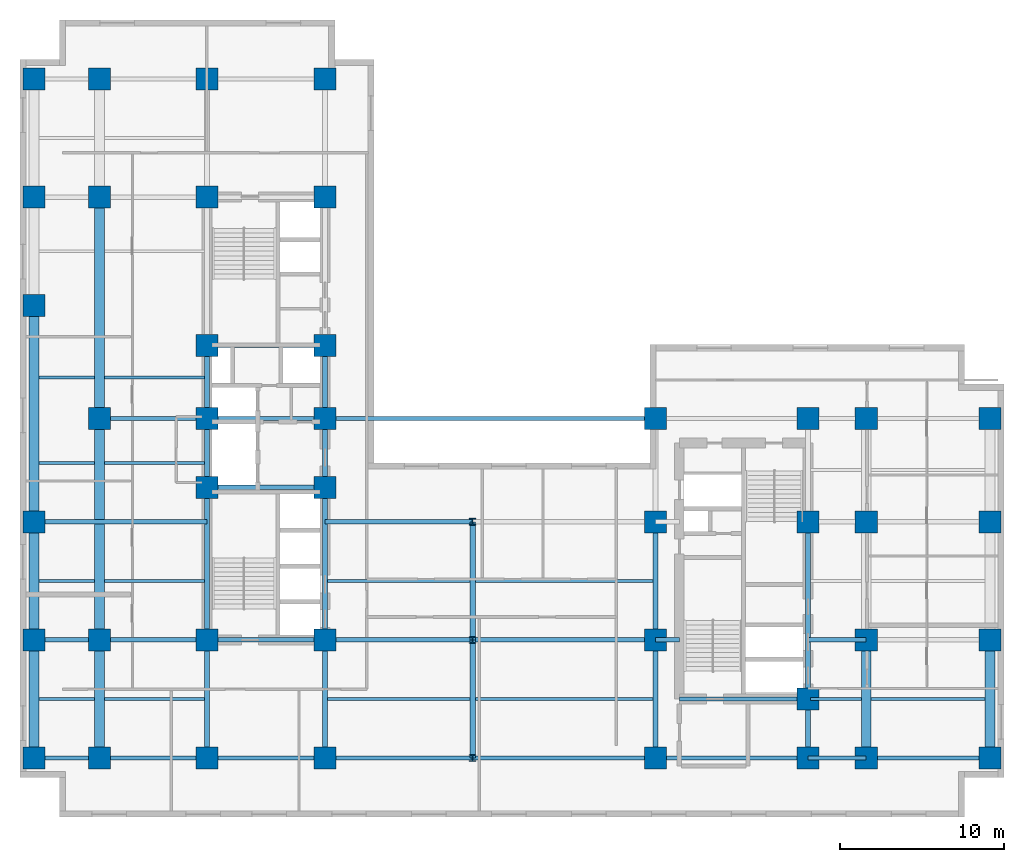
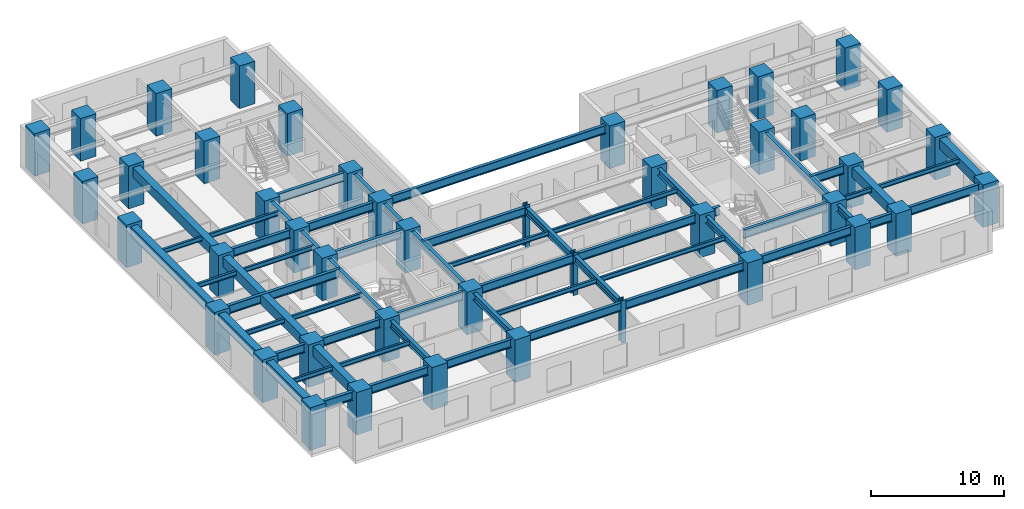
# One storey, part 1 of 10: 59 beams, 44 columns.
"""IFC4 building model written with IfcOpenShell, lengths in metres."""

from ifc_helpers import new_model, entity, si_unit, converted_unit, direction, frame, origin_with_axes, origin_2d_with_axis, place, context, subcontext, project, spatial, rectangle, i_section, extrude, material, material_profile, profile_set, type_object, element, save


model = new_model("IFC4")

# Units and contexts
model_context = context("Model", 3, precision=1e-05, world=origin_with_axes(), true_north=direction((0.0, 1.0)))
body_context = subcontext(model_context, "Body", "Model", "MODEL_VIEW")
ifc_project = project(units=[si_unit("LENGTHUNIT", "METRE"), si_unit("AREAUNIT", "SQUARE_METRE"), si_unit("VOLUMEUNIT", "CUBIC_METRE"), converted_unit("PLANEANGLEUNIT", "DEGREE", entity("IfcPlaneAngleMeasure", 0.017453292519943295), si_unit("PLANEANGLEUNIT", "RADIAN"), dimensions=[0, 0, 0, 0, 0, 0, 0]), si_unit("MASSUNIT", "GRAM", prefix="KILO"), si_unit("THERMODYNAMICTEMPERATUREUNIT", "KELVIN")], contexts=[model_context])

# Site, building, storey
site_placement = place(None, origin_with_axes())
site = spatial("IfcSite", under=ifc_project, at=site_placement, CompositionType="ELEMENT")
building_placement = place(site_placement, origin_with_axes())
building = spatial("IfcBuilding", under=site, at=building_placement, Name="Varnlund Millrace Tower", CompositionType="ELEMENT")
storey_placement = place(building_placement, frame((0.0, 0.0, 44.4), z_axis=(0.0, 0.0, 1.0), x_axis=(1.0, 0.0, 0.0)))
storey = spatial("IfcBuildingStorey", under=building, at=storey_placement, Name="L10", CompositionType="ELEMENT", Elevation=44.4)

# Columns
ifc_material_1 = material(Name="Steel ASTM A913 Grade 65", Category="steel")
ifc_material_profile_1 = material_profile(ifc_material_1, i_section(OverallWidth=0.406, OverallDepth=0.416, WebThickness=0.0298, FlangeThickness=0.048, FilletRadius=0.022, at=origin_2d_with_axis()), Name="Steel ASTM A913 Grade 65")
ifc_profile_set_1 = profile_set([ifc_material_profile_1], Name="Steel ASTM A913 Grade 65")
column_type_1 = type_object("IfcColumnType", Name="Type-Col-Int-W14X257", PredefinedType="COLUMN", material=ifc_profile_set_1)
for number, where, z_axis, x_axis, name in (
    (1, (27.6, 3.6, 0.0), (0.0, 0.0, 1.0), (1.0, 0.0, 0.0), "Type-Col-Int-W14X257"),
    (2, (27.6, 10.8, 0.0), (0.0, 0.0, 1.0), (1.0, 0.0, 0.0), "Type-Col-Int-W14X257"),
    (3, (27.6, 18.0, 0.0), (0.0, 0.0, 1.0), (1.0, 0.0, 0.0), "Type-Col-Int-W14X257"),
):
    element("IfcColumn", number, at=place(storey_placement, frame(where, z_axis=z_axis, x_axis=x_axis)), inside=storey, type_object=column_type_1, Name=name, PredefinedType="COLUMN", context=body_context, shape_type="SweptSolid", body=[
        extrude(i_section(OverallWidth=0.406, OverallDepth=0.416, WebThickness=0.0298, FlangeThickness=0.048, FilletRadius=0.022, at=origin_2d_with_axis()), origin_with_axes(), (0.0, 0.0, 1.0), 3.9),
    ])
ifc_material_2 = material(Name="Concrete C80/95", Category="concrete")
ifc_material_profile_2 = material_profile(ifc_material_2, rectangle(XDim=1.35, YDim=1.35, at=origin_2d_with_axis()), Name="Concrete C80/95")
ifc_profile_set_2 = profile_set([ifc_material_profile_2], Name="Concrete C80/95")
column_type_2 = type_object("IfcColumnType", Name="Type-Col-RC1350-C80", PredefinedType="COLUMN", material=ifc_profile_set_2)
for number, where, z_axis, x_axis, name in (
    (4, (11.4, 3.6, 0.0), (0.0, 0.0, 1.0), (1.0, 0.0, 0.0), "Type-Col-RC1350-C80"),
    (5, (11.4, 10.8, 0.0), (0.0, 0.0, 1.0), (1.0, 0.0, 0.0), "Type-Col-RC1350-C80"),
    (6, (11.4, 20.1, 0.0), (0.0, 0.0, 1.0), (1.0, 0.0, 0.0), "Type-Col-RC1350-C80"),
    (7, (11.4, 24.3, 0.0), (0.0, 0.0, 1.0), (1.0, 0.0, 0.0), "Type-Col-RC1350-C80"),
    (8, (11.4, 28.75, 0.0), (0.0, 0.0, 1.0), (1.0, 0.0, 0.0), "Type-Col-RC1350-C80"),
    (9, (11.4, 37.8, 0.0), (0.0, 0.0, 1.0), (1.0, 0.0, 0.0), "Type-Col-RC1350-C80"),
    (10, (11.4, 45.0, 0.0), (0.0, 0.0, 1.0), (1.0, 0.0, 0.0), "Type-Col-RC1350-C80"),
    (11, (18.6, 3.6, 0.0), (0.0, 0.0, 1.0), (1.0, 0.0, 0.0), "Type-Col-RC1350-C80"),
    (12, (18.6, 10.8, 0.0), (0.0, 0.0, 1.0), (1.0, 0.0, 0.0), "Type-Col-RC1350-C80"),
    (13, (18.6, 20.1, 0.0), (0.0, 0.0, 1.0), (1.0, 0.0, 0.0), "Type-Col-RC1350-C80"),
    (14, (18.6, 24.3, 0.0), (0.0, 0.0, 1.0), (1.0, 0.0, 0.0), "Type-Col-RC1350-C80"),
    (15, (18.6, 28.75, 0.0), (0.0, 0.0, 1.0), (1.0, 0.0, 0.0), "Type-Col-RC1350-C80"),
    (16, (18.6, 37.8, 0.0), (0.0, 0.0, 1.0), (1.0, 0.0, 0.0), "Type-Col-RC1350-C80"),
    (17, (18.6, 45.0, 0.0), (0.0, 0.0, 1.0), (1.0, 0.0, 0.0), "Type-Col-RC1350-C80"),
    (18, (4.85, 3.6, 0.0), (0.0, 0.0, 1.0), (1.0, 0.0, 0.0), "Type-Col-RC1350-C80"),
    (19, (4.85, 10.8, 0.0), (0.0, 0.0, 1.0), (1.0, 0.0, 0.0), "Type-Col-RC1350-C80"),
    (20, (4.85, 24.3, 0.0), (0.0, 0.0, 1.0), (1.0, 0.0, 0.0), "Type-Col-RC1350-C80"),
    (21, (4.85, 37.8, 0.0), (0.0, 0.0, 1.0), (1.0, 0.0, 0.0), "Type-Col-RC1350-C80"),
    (22, (4.85, 45.0, 0.0), (0.0, 0.0, 1.0), (1.0, 0.0, 0.0), "Type-Col-RC1350-C80"),
    (23, (0.85, 3.6, 0.0), (0.0, 0.0, 1.0), (1.0, 0.0, 0.0), "Type-Col-RC1350-C80"),
    (24, (0.85, 10.8, 0.0), (0.0, 0.0, 1.0), (1.0, 0.0, 0.0), "Type-Col-RC1350-C80"),
    (25, (0.85, 18.0, 0.0), (0.0, 0.0, 1.0), (1.0, 0.0, 0.0), "Type-Col-RC1350-C80"),
    (26, (0.85, 31.2, 0.0), (0.0, 0.0, 1.0), (1.0, 0.0, 0.0), "Type-Col-RC1350-C80"),
    (27, (0.85, 37.8, 0.0), (0.0, 0.0, 1.0), (1.0, 0.0, 0.0), "Type-Col-RC1350-C80"),
    (28, (0.85, 45.0, 0.0), (0.0, 0.0, 1.0), (1.0, 0.0, 0.0), "Type-Col-RC1350-C80"),
    (29, (38.75, 3.6, 0.0), (0.0, 0.0, 1.0), (1.0, 0.0, 0.0), "Type-Col-RC1350-C80"),
    (30, (38.75, 10.8, 0.0), (0.0, 0.0, 1.0), (1.0, 0.0, 0.0), "Type-Col-RC1350-C80"),
    (31, (38.75, 18.0, 0.0), (0.0, 0.0, 1.0), (1.0, 0.0, 0.0), "Type-Col-RC1350-C80"),
    (32, (38.75, 24.3, 0.0), (0.0, 0.0, 1.0), (1.0, 0.0, 0.0), "Type-Col-RC1350-C80"),
    (33, (48.05, 3.6, 0.0), (0.0, 0.0, 1.0), (1.0, 0.0, 0.0), "Type-Col-RC1350-C80"),
    (34, (48.05, 7.2, 0.0), (0.0, 0.0, 1.0), (1.0, 0.0, 0.0), "Type-Col-RC1350-C80"),
    (35, (48.05, 18.0, 0.0), (0.0, 0.0, 1.0), (1.0, 0.0, 0.0), "Type-Col-RC1350-C80"),
    (36, (48.05, 24.3, 0.0), (0.0, 0.0, 1.0), (1.0, 0.0, 0.0), "Type-Col-RC1350-C80"),
    (37, (51.6, 3.6, 0.0), (0.0, 0.0, 1.0), (1.0, 0.0, 0.0), "Type-Col-RC1350-C80"),
    (38, (51.6, 10.8, 0.0), (0.0, 0.0, 1.0), (1.0, 0.0, 0.0), "Type-Col-RC1350-C80"),
    (39, (51.6, 18.0, 0.0), (0.0, 0.0, 1.0), (1.0, 0.0, 0.0), "Type-Col-RC1350-C80"),
    (40, (51.6, 24.3, 0.0), (0.0, 0.0, 1.0), (1.0, 0.0, 0.0), "Type-Col-RC1350-C80"),
    (41, (59.15, 3.6, 0.0), (0.0, 0.0, 1.0), (1.0, 0.0, 0.0), "Type-Col-RC1350-C80"),
    (42, (59.15, 10.8, 0.0), (0.0, 0.0, 1.0), (1.0, 0.0, 0.0), "Type-Col-RC1350-C80"),
    (43, (59.15, 18.0, 0.0), (0.0, 0.0, 1.0), (1.0, 0.0, 0.0), "Type-Col-RC1350-C80"),
    (44, (59.15, 24.3, 0.0), (0.0, 0.0, 1.0), (1.0, 0.0, 0.0), "Type-Col-RC1350-C80"),
):
    element("IfcColumn", number, at=place(storey_placement, frame(where, z_axis=z_axis, x_axis=x_axis)), inside=storey, type_object=column_type_2, Name=name, PredefinedType="COLUMN", context=body_context, shape_type="SweptSolid", body=[
        extrude(rectangle(XDim=1.35, YDim=1.35, at=origin_2d_with_axis()), origin_with_axes(), (0.0, 0.0, 1.0), 3.9),
    ])

# Beams
ifc_material_3 = material(Name="Steel ASTM A992 Grade 50", Category="steel")
ifc_material_profile_3 = material_profile(ifc_material_3, i_section(OverallWidth=0.328, OverallDepth=0.628, WebThickness=0.0165, FlangeThickness=0.0277, FilletRadius=0.018, at=origin_2d_with_axis()), Name="Steel ASTM A992 Grade 50")
ifc_profile_set_3 = profile_set([ifc_material_profile_3], Name="Steel ASTM A992 Grade 50")
beam_type_1 = type_object("IfcBeamType", Name="Type-Girder-W24X146", PredefinedType="USERDEFINED", material=ifc_profile_set_3)
beam_1_placement = place(storey_placement, frame((11.4, 3.6, 3.346), z_axis=(0.0, 1.0, 0.0), x_axis=(-1.0, 0.0, 0.0)))
element("IfcBeam", 45, at=beam_1_placement, inside=storey, type_object=beam_type_1, Name="Type-Girder-W24X146", ObjectType="GIRDER", PredefinedType="USERDEFINED", context=body_context, shape_type="SweptSolid", body=[
    extrude(i_section(OverallWidth=0.328, OverallDepth=0.628, WebThickness=0.0165, FlangeThickness=0.0277, FilletRadius=0.018, at=origin_2d_with_axis()), origin_with_axes(), (0.0, 0.0, 1.0), 7.2),
])
beam_2_placement = place(storey_placement, frame((11.4, 10.8, 3.346), z_axis=(0.0, 1.0, 0.0), x_axis=(-1.0, 0.0, 0.0)))
element("IfcBeam", 46, at=beam_2_placement, inside=storey, type_object=beam_type_1, Name="Type-Girder-W24X146", ObjectType="GIRDER", PredefinedType="USERDEFINED", context=body_context, shape_type="SweptSolid", body=[
    extrude(i_section(OverallWidth=0.328, OverallDepth=0.628, WebThickness=0.0165, FlangeThickness=0.0277, FilletRadius=0.018, at=origin_2d_with_axis()), origin_with_axes(), (0.0, 0.0, 1.0), 9.3),
])
beam_3_placement = place(storey_placement, frame((11.4, 20.1, 3.346), z_axis=(0.0, 1.0, 0.0), x_axis=(-1.0, 0.0, 0.0)))
element("IfcBeam", 47, at=beam_3_placement, inside=storey, type_object=beam_type_1, Name="Type-Girder-W24X146", ObjectType="GIRDER", PredefinedType="USERDEFINED", context=body_context, shape_type="SweptSolid", body=[
    extrude(i_section(OverallWidth=0.328, OverallDepth=0.628, WebThickness=0.0165, FlangeThickness=0.0277, FilletRadius=0.018, at=origin_2d_with_axis()), origin_with_axes(), (0.0, 0.0, 1.0), 4.2),
])
beam_4_placement = place(storey_placement, frame((11.4, 24.3, 3.346), z_axis=(0.0, 1.0, 0.0), x_axis=(-1.0, 0.0, 0.0)))
element("IfcBeam", 48, at=beam_4_placement, inside=storey, type_object=beam_type_1, Name="Type-Girder-W24X146", ObjectType="GIRDER", PredefinedType="USERDEFINED", context=body_context, shape_type="SweptSolid", body=[
    extrude(i_section(OverallWidth=0.328, OverallDepth=0.628, WebThickness=0.0165, FlangeThickness=0.0277, FilletRadius=0.018, at=origin_2d_with_axis()), origin_with_axes(), (0.0, 0.0, 1.0), 4.45),
])
beam_5_placement = place(storey_placement, frame((18.6, 3.6, 3.346), z_axis=(0.0, 1.0, 0.0), x_axis=(-1.0, 0.0, 0.0)))
element("IfcBeam", 49, at=beam_5_placement, inside=storey, type_object=beam_type_1, Name="Type-Girder-W24X146", ObjectType="GIRDER", PredefinedType="USERDEFINED", context=body_context, shape_type="SweptSolid", body=[
    extrude(i_section(OverallWidth=0.328, OverallDepth=0.628, WebThickness=0.0165, FlangeThickness=0.0277, FilletRadius=0.018, at=origin_2d_with_axis()), origin_with_axes(), (0.0, 0.0, 1.0), 7.2),
])
beam_6_placement = place(storey_placement, frame((18.6, 10.8, 3.346), z_axis=(0.0, 1.0, 0.0), x_axis=(-1.0, 0.0, 0.0)))
element("IfcBeam", 50, at=beam_6_placement, inside=storey, type_object=beam_type_1, Name="Type-Girder-W24X146", ObjectType="GIRDER", PredefinedType="USERDEFINED", context=body_context, shape_type="SweptSolid", body=[
    extrude(i_section(OverallWidth=0.328, OverallDepth=0.628, WebThickness=0.0165, FlangeThickness=0.0277, FilletRadius=0.018, at=origin_2d_with_axis()), origin_with_axes(), (0.0, 0.0, 1.0), 9.3),
])
beam_7_placement = place(storey_placement, frame((18.6, 20.1, 3.346), z_axis=(0.0, 1.0, 0.0), x_axis=(-1.0, 0.0, 0.0)))
element("IfcBeam", 51, at=beam_7_placement, inside=storey, type_object=beam_type_1, Name="Type-Girder-W24X146", ObjectType="GIRDER", PredefinedType="USERDEFINED", context=body_context, shape_type="SweptSolid", body=[
    extrude(i_section(OverallWidth=0.328, OverallDepth=0.628, WebThickness=0.0165, FlangeThickness=0.0277, FilletRadius=0.018, at=origin_2d_with_axis()), origin_with_axes(), (0.0, 0.0, 1.0), 4.2),
])
beam_8_placement = place(storey_placement, frame((18.6, 24.3, 3.346), z_axis=(0.0, 1.0, 0.0), x_axis=(-1.0, 0.0, 0.0)))
element("IfcBeam", 52, at=beam_8_placement, inside=storey, type_object=beam_type_1, Name="Type-Girder-W24X146", ObjectType="GIRDER", PredefinedType="USERDEFINED", context=body_context, shape_type="SweptSolid", body=[
    extrude(i_section(OverallWidth=0.328, OverallDepth=0.628, WebThickness=0.0165, FlangeThickness=0.0277, FilletRadius=0.018, at=origin_2d_with_axis()), origin_with_axes(), (0.0, 0.0, 1.0), 4.45),
])
for number, where, z_axis, x_axis, name in (
    (53, (27.6, 3.6, 3.346), (0.0, 1.0, 0.0), (-1.0, 0.0, 0.0), "Type-Girder-W24X146"),
    (54, (27.6, 10.8, 3.346), (0.0, 1.0, 0.0), (-1.0, 0.0, 0.0), "Type-Girder-W24X146"),
    (55, (38.75, 3.6, 3.346), (0.0, 1.0, 0.0), (-1.0, 0.0, 0.0), "Type-Girder-W24X146"),
    (56, (38.75, 10.8, 3.346), (0.0, 1.0, 0.0), (-1.0, 0.0, 0.0), "Type-Girder-W24X146"),
):
    element("IfcBeam", number, at=place(storey_placement, frame(where, z_axis=z_axis, x_axis=x_axis)), inside=storey, type_object=beam_type_1, Name=name, ObjectType="GIRDER", PredefinedType="USERDEFINED", context=body_context, shape_type="SweptSolid", body=[
        extrude(i_section(OverallWidth=0.328, OverallDepth=0.628, WebThickness=0.0165, FlangeThickness=0.0277, FilletRadius=0.018, at=origin_2d_with_axis()), origin_with_axes(), (0.0, 0.0, 1.0), 7.2),
    ])
beam_9_placement = place(storey_placement, frame((48.05, 3.6, 3.346), z_axis=(0.0, 1.0, 0.0), x_axis=(-1.0, 0.0, 0.0)))
element("IfcBeam", 57, at=beam_9_placement, inside=storey, type_object=beam_type_1, Name="Type-Girder-W24X146", ObjectType="GIRDER", PredefinedType="USERDEFINED", context=body_context, shape_type="SweptSolid", body=[
    extrude(i_section(OverallWidth=0.328, OverallDepth=0.628, WebThickness=0.0165, FlangeThickness=0.0277, FilletRadius=0.018, at=origin_2d_with_axis()), origin_with_axes(), (0.0, 0.0, 1.0), 3.6),
])
beam_10_placement = place(storey_placement, frame((48.05, 7.2, 3.346), z_axis=(0.0, 1.0, 0.0), x_axis=(-1.0, 0.0, 0.0)))
element("IfcBeam", 58, at=beam_10_placement, inside=storey, type_object=beam_type_1, Name="Type-Girder-W24X146", ObjectType="GIRDER", PredefinedType="USERDEFINED", context=body_context, shape_type="SweptSolid", body=[
    extrude(i_section(OverallWidth=0.328, OverallDepth=0.628, WebThickness=0.0165, FlangeThickness=0.0277, FilletRadius=0.018, at=origin_2d_with_axis()), origin_with_axes(), (0.0, 0.0, 1.0), 10.8),
])
ifc_material_profile_4 = material_profile(ifc_material_3, i_section(OverallWidth=0.266, OverallDepth=0.779, WebThickness=0.0165, FlangeThickness=0.03, FilletRadius=0.02, at=origin_2d_with_axis()), Name="Steel ASTM A992 Grade 50")
ifc_profile_set_4 = profile_set([ifc_material_profile_4], Name="Steel ASTM A992 Grade 50")
beam_type_2 = type_object("IfcBeamType", Name="Type-Girder-W30X148", PredefinedType="USERDEFINED", material=ifc_profile_set_4)
beam_11_placement = place(storey_placement, frame((0.85, 3.6, 3.2705), z_axis=(1.0, 0.0, 0.0), x_axis=(0.0, 1.0, 0.0)))
element("IfcBeam", 59, at=beam_11_placement, inside=storey, type_object=beam_type_2, Name="Type-Girder-W30X148", ObjectType="GIRDER", PredefinedType="USERDEFINED", context=body_context, shape_type="SweptSolid", body=[
    extrude(i_section(OverallWidth=0.266, OverallDepth=0.779, WebThickness=0.0165, FlangeThickness=0.03, FilletRadius=0.02, at=origin_2d_with_axis()), origin_with_axes(), (0.0, 0.0, 1.0), 4.0),
])
beam_12_placement = place(storey_placement, frame((4.85, 3.6, 3.2705), z_axis=(1.0, 0.0, 0.0), x_axis=(0.0, 1.0, 0.0)))
element("IfcBeam", 60, at=beam_12_placement, inside=storey, type_object=beam_type_2, Name="Type-Girder-W30X148", ObjectType="GIRDER", PredefinedType="USERDEFINED", context=body_context, shape_type="SweptSolid", body=[
    extrude(i_section(OverallWidth=0.266, OverallDepth=0.779, WebThickness=0.0165, FlangeThickness=0.03, FilletRadius=0.02, at=origin_2d_with_axis()), origin_with_axes(), (0.0, 0.0, 1.0), 6.55),
])
beam_13_placement = place(storey_placement, frame((11.4, 3.6, 3.2705), z_axis=(1.0, 0.0, 0.0), x_axis=(0.0, 1.0, 0.0)))
element("IfcBeam", 61, at=beam_13_placement, inside=storey, type_object=beam_type_2, Name="Type-Girder-W30X148", ObjectType="GIRDER", PredefinedType="USERDEFINED", context=body_context, shape_type="SweptSolid", body=[
    extrude(i_section(OverallWidth=0.266, OverallDepth=0.779, WebThickness=0.0165, FlangeThickness=0.03, FilletRadius=0.02, at=origin_2d_with_axis()), origin_with_axes(), (0.0, 0.0, 1.0), 7.2),
])
beam_14_placement = place(storey_placement, frame((18.6, 3.6, 3.2705), z_axis=(1.0, 0.0, 0.0), x_axis=(0.0, 1.0, 0.0)))
element("IfcBeam", 62, at=beam_14_placement, inside=storey, type_object=beam_type_2, Name="Type-Girder-W30X148", ObjectType="GIRDER", PredefinedType="USERDEFINED", context=body_context, shape_type="SweptSolid", body=[
    extrude(i_section(OverallWidth=0.266, OverallDepth=0.779, WebThickness=0.0165, FlangeThickness=0.03, FilletRadius=0.02, at=origin_2d_with_axis()), origin_with_axes(), (0.0, 0.0, 1.0), 9.0),
])
beam_15_placement = place(storey_placement, frame((27.6, 3.6, 3.2705), z_axis=(1.0, 0.0, 0.0), x_axis=(0.0, 1.0, 0.0)))
element("IfcBeam", 63, at=beam_15_placement, inside=storey, type_object=beam_type_2, Name="Type-Girder-W30X148", ObjectType="GIRDER", PredefinedType="USERDEFINED", context=body_context, shape_type="SweptSolid", body=[
    extrude(i_section(OverallWidth=0.266, OverallDepth=0.779, WebThickness=0.0165, FlangeThickness=0.03, FilletRadius=0.02, at=origin_2d_with_axis()), origin_with_axes(), (0.0, 0.0, 1.0), 11.15),
])
beam_16_placement = place(storey_placement, frame((38.75, 3.6, 3.2705), z_axis=(1.0, 0.0, 0.0), x_axis=(0.0, 1.0, 0.0)))
element("IfcBeam", 64, at=beam_16_placement, inside=storey, type_object=beam_type_2, Name="Type-Girder-W30X148", ObjectType="GIRDER", PredefinedType="USERDEFINED", context=body_context, shape_type="SweptSolid", body=[
    extrude(i_section(OverallWidth=0.266, OverallDepth=0.779, WebThickness=0.0165, FlangeThickness=0.03, FilletRadius=0.02, at=origin_2d_with_axis()), origin_with_axes(), (0.0, 0.0, 1.0), 9.3),
])
beam_17_placement = place(storey_placement, frame((48.05, 3.6, 3.2705), z_axis=(1.0, 0.0, 0.0), x_axis=(0.0, 1.0, 0.0)))
element("IfcBeam", 65, at=beam_17_placement, inside=storey, type_object=beam_type_2, Name="Type-Girder-W30X148", ObjectType="GIRDER", PredefinedType="USERDEFINED", context=body_context, shape_type="SweptSolid", body=[
    extrude(i_section(OverallWidth=0.266, OverallDepth=0.779, WebThickness=0.0165, FlangeThickness=0.03, FilletRadius=0.02, at=origin_2d_with_axis()), origin_with_axes(), (0.0, 0.0, 1.0), 3.55),
])
beam_18_placement = place(storey_placement, frame((51.6, 3.6, 3.2705), z_axis=(1.0, 0.0, 0.0), x_axis=(0.0, 1.0, 0.0)))
element("IfcBeam", 66, at=beam_18_placement, inside=storey, type_object=beam_type_2, Name="Type-Girder-W30X148", ObjectType="GIRDER", PredefinedType="USERDEFINED", context=body_context, shape_type="SweptSolid", body=[
    extrude(i_section(OverallWidth=0.266, OverallDepth=0.779, WebThickness=0.0165, FlangeThickness=0.03, FilletRadius=0.02, at=origin_2d_with_axis()), origin_with_axes(), (0.0, 0.0, 1.0), 7.55),
])
beam_19_placement = place(storey_placement, frame((40.2, 7.2, 3.2705), z_axis=(1.0, 0.0, 0.0), x_axis=(0.0, 1.0, 0.0)))
element("IfcBeam", 67, at=beam_19_placement, inside=storey, type_object=beam_type_2, Name="Type-Girder-W30X148", ObjectType="GIRDER", PredefinedType="USERDEFINED", context=body_context, shape_type="SweptSolid", body=[
    extrude(i_section(OverallWidth=0.266, OverallDepth=0.779, WebThickness=0.0165, FlangeThickness=0.03, FilletRadius=0.02, at=origin_2d_with_axis()), origin_with_axes(), (0.0, 0.0, 1.0), 7.85),
])
beam_20_placement = place(storey_placement, frame((0.85, 10.8, 3.2705), z_axis=(1.0, 0.0, 0.0), x_axis=(0.0, 1.0, 0.0)))
element("IfcBeam", 68, at=beam_20_placement, inside=storey, type_object=beam_type_2, Name="Type-Girder-W30X148", ObjectType="GIRDER", PredefinedType="USERDEFINED", context=body_context, shape_type="SweptSolid", body=[
    extrude(i_section(OverallWidth=0.266, OverallDepth=0.779, WebThickness=0.0165, FlangeThickness=0.03, FilletRadius=0.02, at=origin_2d_with_axis()), origin_with_axes(), (0.0, 0.0, 1.0), 4.0),
])
beam_21_placement = place(storey_placement, frame((4.85, 10.8, 3.2705), z_axis=(1.0, 0.0, 0.0), x_axis=(0.0, 1.0, 0.0)))
element("IfcBeam", 69, at=beam_21_placement, inside=storey, type_object=beam_type_2, Name="Type-Girder-W30X148", ObjectType="GIRDER", PredefinedType="USERDEFINED", context=body_context, shape_type="SweptSolid", body=[
    extrude(i_section(OverallWidth=0.266, OverallDepth=0.779, WebThickness=0.0165, FlangeThickness=0.03, FilletRadius=0.02, at=origin_2d_with_axis()), origin_with_axes(), (0.0, 0.0, 1.0), 6.55),
])
beam_22_placement = place(storey_placement, frame((11.4, 10.8, 3.2705), z_axis=(1.0, 0.0, 0.0), x_axis=(0.0, 1.0, 0.0)))
element("IfcBeam", 70, at=beam_22_placement, inside=storey, type_object=beam_type_2, Name="Type-Girder-W30X148", ObjectType="GIRDER", PredefinedType="USERDEFINED", context=body_context, shape_type="SweptSolid", body=[
    extrude(i_section(OverallWidth=0.266, OverallDepth=0.779, WebThickness=0.0165, FlangeThickness=0.03, FilletRadius=0.02, at=origin_2d_with_axis()), origin_with_axes(), (0.0, 0.0, 1.0), 7.2),
])
beam_23_placement = place(storey_placement, frame((18.6, 10.8, 3.2705), z_axis=(1.0, 0.0, 0.0), x_axis=(0.0, 1.0, 0.0)))
element("IfcBeam", 71, at=beam_23_placement, inside=storey, type_object=beam_type_2, Name="Type-Girder-W30X148", ObjectType="GIRDER", PredefinedType="USERDEFINED", context=body_context, shape_type="SweptSolid", body=[
    extrude(i_section(OverallWidth=0.266, OverallDepth=0.779, WebThickness=0.0165, FlangeThickness=0.03, FilletRadius=0.02, at=origin_2d_with_axis()), origin_with_axes(), (0.0, 0.0, 1.0), 9.0),
])
beam_24_placement = place(storey_placement, frame((27.6, 10.8, 3.2705), z_axis=(1.0, 0.0, 0.0), x_axis=(0.0, 1.0, 0.0)))
element("IfcBeam", 72, at=beam_24_placement, inside=storey, type_object=beam_type_2, Name="Type-Girder-W30X148", ObjectType="GIRDER", PredefinedType="USERDEFINED", context=body_context, shape_type="SweptSolid", body=[
    extrude(i_section(OverallWidth=0.266, OverallDepth=0.779, WebThickness=0.0165, FlangeThickness=0.03, FilletRadius=0.02, at=origin_2d_with_axis()), origin_with_axes(), (0.0, 0.0, 1.0), 11.15),
])
beam_25_placement = place(storey_placement, frame((38.75, 10.8, 3.2705), z_axis=(1.0, 0.0, 0.0), x_axis=(0.0, 1.0, 0.0)))
element("IfcBeam", 73, at=beam_25_placement, inside=storey, type_object=beam_type_2, Name="Type-Girder-W30X148", ObjectType="GIRDER", PredefinedType="USERDEFINED", context=body_context, shape_type="SweptSolid", body=[
    extrude(i_section(OverallWidth=0.266, OverallDepth=0.779, WebThickness=0.0165, FlangeThickness=0.03, FilletRadius=0.02, at=origin_2d_with_axis()), origin_with_axes(), (0.0, 0.0, 1.0), 1.45),
])
beam_26_placement = place(storey_placement, frame((48.05, 10.8, 3.2705), z_axis=(1.0, 0.0, 0.0), x_axis=(0.0, 1.0, 0.0)))
element("IfcBeam", 74, at=beam_26_placement, inside=storey, type_object=beam_type_2, Name="Type-Girder-W30X148", ObjectType="GIRDER", PredefinedType="USERDEFINED", context=body_context, shape_type="SweptSolid", body=[
    extrude(i_section(OverallWidth=0.266, OverallDepth=0.779, WebThickness=0.0165, FlangeThickness=0.03, FilletRadius=0.02, at=origin_2d_with_axis()), origin_with_axes(), (0.0, 0.0, 1.0), 3.55),
])
beam_27_placement = place(storey_placement, frame((0.85, 18.0, 3.2705), z_axis=(1.0, 0.0, 0.0), x_axis=(0.0, 1.0, 0.0)))
element("IfcBeam", 75, at=beam_27_placement, inside=storey, type_object=beam_type_2, Name="Type-Girder-W30X148", ObjectType="GIRDER", PredefinedType="USERDEFINED", context=body_context, shape_type="SweptSolid", body=[
    extrude(i_section(OverallWidth=0.266, OverallDepth=0.779, WebThickness=0.0165, FlangeThickness=0.03, FilletRadius=0.02, at=origin_2d_with_axis()), origin_with_axes(), (0.0, 0.0, 1.0), 10.55),
])
beam_28_placement = place(storey_placement, frame((18.6, 18.0, 3.2705), z_axis=(1.0, 0.0, 0.0), x_axis=(0.0, 1.0, 0.0)))
element("IfcBeam", 76, at=beam_28_placement, inside=storey, type_object=beam_type_2, Name="Type-Girder-W30X148", ObjectType="GIRDER", PredefinedType="USERDEFINED", context=body_context, shape_type="SweptSolid", body=[
    extrude(i_section(OverallWidth=0.266, OverallDepth=0.779, WebThickness=0.0165, FlangeThickness=0.03, FilletRadius=0.02, at=origin_2d_with_axis()), origin_with_axes(), (0.0, 0.0, 1.0), 9.0),
])
beam_29_placement = place(storey_placement, frame((11.4, 20.1, 3.2705), z_axis=(1.0, 0.0, 0.0), x_axis=(0.0, 1.0, 0.0)))
element("IfcBeam", 77, at=beam_29_placement, inside=storey, type_object=beam_type_2, Name="Type-Girder-W30X148", ObjectType="GIRDER", PredefinedType="USERDEFINED", context=body_context, shape_type="SweptSolid", body=[
    extrude(i_section(OverallWidth=0.266, OverallDepth=0.779, WebThickness=0.0165, FlangeThickness=0.03, FilletRadius=0.02, at=origin_2d_with_axis()), origin_with_axes(), (0.0, 0.0, 1.0), 7.2),
])
beam_30_placement = place(storey_placement, frame((4.85, 24.3, 3.2705), z_axis=(1.0, 0.0, 0.0), x_axis=(0.0, 1.0, 0.0)))
element("IfcBeam", 78, at=beam_30_placement, inside=storey, type_object=beam_type_2, Name="Type-Girder-W30X148", ObjectType="GIRDER", PredefinedType="USERDEFINED", context=body_context, shape_type="SweptSolid", body=[
    extrude(i_section(OverallWidth=0.266, OverallDepth=0.779, WebThickness=0.0165, FlangeThickness=0.03, FilletRadius=0.02, at=origin_2d_with_axis()), origin_with_axes(), (0.0, 0.0, 1.0), 6.55),
])
beam_31_placement = place(storey_placement, frame((11.4, 24.3, 3.2705), z_axis=(1.0, 0.0, 0.0), x_axis=(0.0, 1.0, 0.0)))
element("IfcBeam", 79, at=beam_31_placement, inside=storey, type_object=beam_type_2, Name="Type-Girder-W30X148", ObjectType="GIRDER", PredefinedType="USERDEFINED", context=body_context, shape_type="SweptSolid", body=[
    extrude(i_section(OverallWidth=0.266, OverallDepth=0.779, WebThickness=0.0165, FlangeThickness=0.03, FilletRadius=0.02, at=origin_2d_with_axis()), origin_with_axes(), (0.0, 0.0, 1.0), 7.2),
])
beam_32_placement = place(storey_placement, frame((18.6, 24.3, 3.2705), z_axis=(1.0, 0.0, 0.0), x_axis=(0.0, 1.0, 0.0)))
element("IfcBeam", 80, at=beam_32_placement, inside=storey, type_object=beam_type_2, Name="Type-Girder-W30X148", ObjectType="GIRDER", PredefinedType="USERDEFINED", context=body_context, shape_type="SweptSolid", body=[
    extrude(i_section(OverallWidth=0.266, OverallDepth=0.779, WebThickness=0.0165, FlangeThickness=0.03, FilletRadius=0.02, at=origin_2d_with_axis()), origin_with_axes(), (0.0, 0.0, 1.0), 20.15),
])
beam_33_placement = place(storey_placement, frame((11.4, 28.75, 3.2705), z_axis=(1.0, 0.0, 0.0), x_axis=(0.0, 1.0, 0.0)))
element("IfcBeam", 81, at=beam_33_placement, inside=storey, type_object=beam_type_2, Name="Type-Girder-W30X148", ObjectType="GIRDER", PredefinedType="USERDEFINED", context=body_context, shape_type="SweptSolid", body=[
    extrude(i_section(OverallWidth=0.266, OverallDepth=0.779, WebThickness=0.0165, FlangeThickness=0.03, FilletRadius=0.02, at=origin_2d_with_axis()), origin_with_axes(), (0.0, 0.0, 1.0), 7.2),
])
ifc_material_profile_5 = material_profile(ifc_material_3, i_section(OverallWidth=0.181, OverallDepth=0.417, WebThickness=0.0109, FlangeThickness=0.0182, FilletRadius=0.013, at=origin_2d_with_axis()), Name="Steel ASTM A992 Grade 50")
ifc_profile_set_5 = profile_set([ifc_material_profile_5], Name="Steel ASTM A992 Grade 50")
beam_type_3 = type_object("IfcBeamType", Name="Type-Joist-W16X57", PredefinedType="JOIST", material=ifc_profile_set_5)
for number, where, z_axis, x_axis, name in (
    (82, (1.15, 7.2, 3.4515), (1.0, 0.0, 0.0), (0.0, 1.0, 0.0), "Type-Joist-W16X57"),
    (83, (1.15, 14.4, 3.4515), (1.0, 0.0, 0.0), (0.0, 1.0, 0.0), "Type-Joist-W16X57"),
    (84, (1.15, 21.6, 3.4515), (1.0, 0.0, 0.0), (0.0, 1.0, 0.0), "Type-Joist-W16X57"),
    (85, (1.15, 26.8, 3.4515), (1.0, 0.0, 0.0), (0.0, 1.0, 0.0), "Type-Joist-W16X57"),
):
    element("IfcBeam", number, at=place(storey_placement, frame(where, z_axis=z_axis, x_axis=x_axis)), inside=storey, type_object=beam_type_3, Name=name, PredefinedType="JOIST", context=body_context, shape_type="SweptSolid", body=[
        extrude(i_section(OverallWidth=0.181, OverallDepth=0.417, WebThickness=0.0109, FlangeThickness=0.0182, FilletRadius=0.013, at=origin_2d_with_axis()), origin_with_axes(), (0.0, 0.0, 1.0), 3.4),
    ])
for number, where, z_axis, x_axis, name in (
    (86, (5.15, 7.2, 3.4515), (1.0, 0.0, 0.0), (0.0, 1.0, 0.0), "Type-Joist-W16X57"),
    (87, (5.15, 14.4, 3.4515), (1.0, 0.0, 0.0), (0.0, 1.0, 0.0), "Type-Joist-W16X57"),
    (88, (5.15, 21.6, 3.4515), (1.0, 0.0, 0.0), (0.0, 1.0, 0.0), "Type-Joist-W16X57"),
    (89, (5.15, 26.8, 3.4515), (1.0, 0.0, 0.0), (0.0, 1.0, 0.0), "Type-Joist-W16X57"),
):
    element("IfcBeam", number, at=place(storey_placement, frame(where, z_axis=z_axis, x_axis=x_axis)), inside=storey, type_object=beam_type_3, Name=name, PredefinedType="JOIST", context=body_context, shape_type="SweptSolid", body=[
        extrude(i_section(OverallWidth=0.181, OverallDepth=0.417, WebThickness=0.0109, FlangeThickness=0.0182, FilletRadius=0.013, at=origin_2d_with_axis()), origin_with_axes(), (0.0, 0.0, 1.0), 6.086),
    ])
beam_34_placement = place(storey_placement, frame((48.214, 7.2, 3.4515), z_axis=(1.0, 0.0, 0.0), x_axis=(0.0, 1.0, 0.0)))
element("IfcBeam", 90, at=beam_34_placement, inside=storey, type_object=beam_type_3, Name="Type-Joist-W16X57", PredefinedType="JOIST", context=body_context, shape_type="SweptSolid", body=[
    extrude(i_section(OverallWidth=0.181, OverallDepth=0.417, WebThickness=0.0109, FlangeThickness=0.0182, FilletRadius=0.013, at=origin_2d_with_axis()), origin_with_axes(), (0.0, 0.0, 1.0), 3.086),
])
beam_35_placement = place(storey_placement, frame((51.9, 7.2, 3.4515), z_axis=(1.0, 0.0, 0.0), x_axis=(0.0, 1.0, 0.0)))
element("IfcBeam", 91, at=beam_35_placement, inside=storey, type_object=beam_type_3, Name="Type-Joist-W16X57", PredefinedType="JOIST", context=body_context, shape_type="SweptSolid", body=[
    extrude(i_section(OverallWidth=0.181, OverallDepth=0.417, WebThickness=0.0109, FlangeThickness=0.0182, FilletRadius=0.013, at=origin_2d_with_axis()), origin_with_axes(), (0.0, 0.0, 1.0), 6.95),
])
for number, where, z_axis, x_axis, name in (
    (92, (18.764, 7.2, 3.4515), (1.0, 0.0, 0.0), (0.0, 1.0, 0.0), "Type-Joist-W16X57"),
    (93, (18.764, 14.4, 3.4515), (1.0, 0.0, 0.0), (0.0, 1.0, 0.0), "Type-Joist-W16X57"),
):
    element("IfcBeam", number, at=place(storey_placement, frame(where, z_axis=z_axis, x_axis=x_axis)), inside=storey, type_object=beam_type_3, Name=name, PredefinedType="JOIST", context=body_context, shape_type="SweptSolid", body=[
        extrude(i_section(OverallWidth=0.181, OverallDepth=0.417, WebThickness=0.0109, FlangeThickness=0.0182, FilletRadius=0.013, at=origin_2d_with_axis()), origin_with_axes(), (0.0, 0.0, 1.0), 8.672),
    ])
for number, where, z_axis, x_axis, name in (
    (94, (27.764, 7.2, 3.4515), (1.0, 0.0, 0.0), (0.0, 1.0, 0.0), "Type-Joist-W16X57"),
    (95, (27.764, 14.4, 3.4515), (1.0, 0.0, 0.0), (0.0, 1.0, 0.0), "Type-Joist-W16X57"),
):
    element("IfcBeam", number, at=place(storey_placement, frame(where, z_axis=z_axis, x_axis=x_axis)), inside=storey, type_object=beam_type_3, Name=name, PredefinedType="JOIST", context=body_context, shape_type="SweptSolid", body=[
        extrude(i_section(OverallWidth=0.181, OverallDepth=0.417, WebThickness=0.0109, FlangeThickness=0.0182, FilletRadius=0.013, at=origin_2d_with_axis()), origin_with_axes(), (0.0, 0.0, 1.0), 10.822),
    ])
ifc_material_4 = material(Name="Concrete C70/85", Category="concrete")
ifc_material_profile_6 = material_profile(ifc_material_4, rectangle(XDim=0.6, YDim=0.9, at=origin_2d_with_axis()), Name="Concrete C70/85")
ifc_profile_set_6 = profile_set([ifc_material_profile_6], Name="Concrete C70/85")
beam_type_4 = type_object("IfcBeamType", Name="Type-Spandrel-RC600X900", PredefinedType="SPANDREL", material=ifc_profile_set_6)
for number, where, z_axis, x_axis, name in (
    (96, (0.85, 3.6, 3.21), (0.0, 1.0, 0.0), (-1.0, 0.0, 0.0), "Type-Spandrel-RC600X900"),
    (97, (0.85, 10.8, 3.21), (0.0, 1.0, 0.0), (-1.0, 0.0, 0.0), "Type-Spandrel-RC600X900"),
):
    element("IfcBeam", number, at=place(storey_placement, frame(where, z_axis=z_axis, x_axis=x_axis)), inside=storey, type_object=beam_type_4, Name=name, PredefinedType="SPANDREL", context=body_context, shape_type="SweptSolid", body=[
        extrude(rectangle(XDim=0.6, YDim=0.9, at=origin_2d_with_axis()), origin_with_axes(), (0.0, 0.0, 1.0), 7.2),
    ])
beam_36_placement = place(storey_placement, frame((0.85, 18.0, 3.21), z_axis=(0.0, 1.0, 0.0), x_axis=(-1.0, 0.0, 0.0)))
element("IfcBeam", 98, at=beam_36_placement, inside=storey, type_object=beam_type_4, Name="Type-Spandrel-RC600X900", PredefinedType="SPANDREL", context=body_context, shape_type="SweptSolid", body=[
    extrude(rectangle(XDim=0.6, YDim=0.9, at=origin_2d_with_axis()), origin_with_axes(), (0.0, 0.0, 1.0), 13.2),
])
beam_37_placement = place(storey_placement, frame((4.85, 3.6, 3.21), z_axis=(0.0, 1.0, 0.0), x_axis=(-1.0, 0.0, 0.0)))
element("IfcBeam", 99, at=beam_37_placement, inside=storey, type_object=beam_type_4, Name="Type-Spandrel-RC600X900", PredefinedType="SPANDREL", context=body_context, shape_type="SweptSolid", body=[
    extrude(rectangle(XDim=0.6, YDim=0.9, at=origin_2d_with_axis()), origin_with_axes(), (0.0, 0.0, 1.0), 7.2),
])
for number, where, z_axis, x_axis, name in (
    (100, (4.85, 10.8, 3.21), (0.0, 1.0, 0.0), (-1.0, 0.0, 0.0), "Type-Spandrel-RC600X900"),
    (101, (4.85, 24.3, 3.21), (0.0, 1.0, 0.0), (-1.0, 0.0, 0.0), "Type-Spandrel-RC600X900"),
):
    element("IfcBeam", number, at=place(storey_placement, frame(where, z_axis=z_axis, x_axis=x_axis)), inside=storey, type_object=beam_type_4, Name=name, PredefinedType="SPANDREL", context=body_context, shape_type="SweptSolid", body=[
        extrude(rectangle(XDim=0.6, YDim=0.9, at=origin_2d_with_axis()), origin_with_axes(), (0.0, 0.0, 1.0), 13.5),
    ])
for number, where, z_axis, x_axis, name in (
    (102, (51.6, 3.6, 3.21), (0.0, 1.0, 0.0), (-1.0, 0.0, 0.0), "Type-Spandrel-RC600X900"),
    (103, (59.15, 3.6, 3.21), (0.0, 1.0, 0.0), (-1.0, 0.0, 0.0), "Type-Spandrel-RC600X900"),
):
    element("IfcBeam", number, at=place(storey_placement, frame(where, z_axis=z_axis, x_axis=x_axis)), inside=storey, type_object=beam_type_4, Name=name, PredefinedType="SPANDREL", context=body_context, shape_type="SweptSolid", body=[
        extrude(rectangle(XDim=0.6, YDim=0.9, at=origin_2d_with_axis()), origin_with_axes(), (0.0, 0.0, 1.0), 7.2),
    ])

save(model, "model.ifc")
